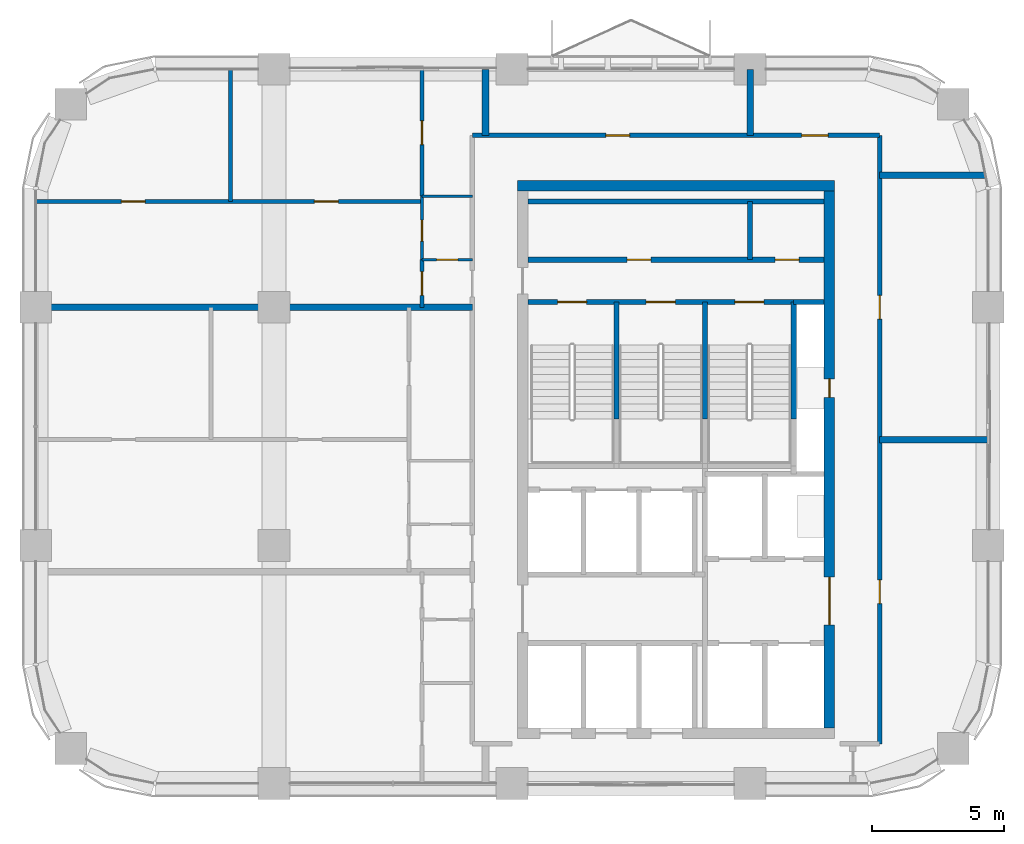
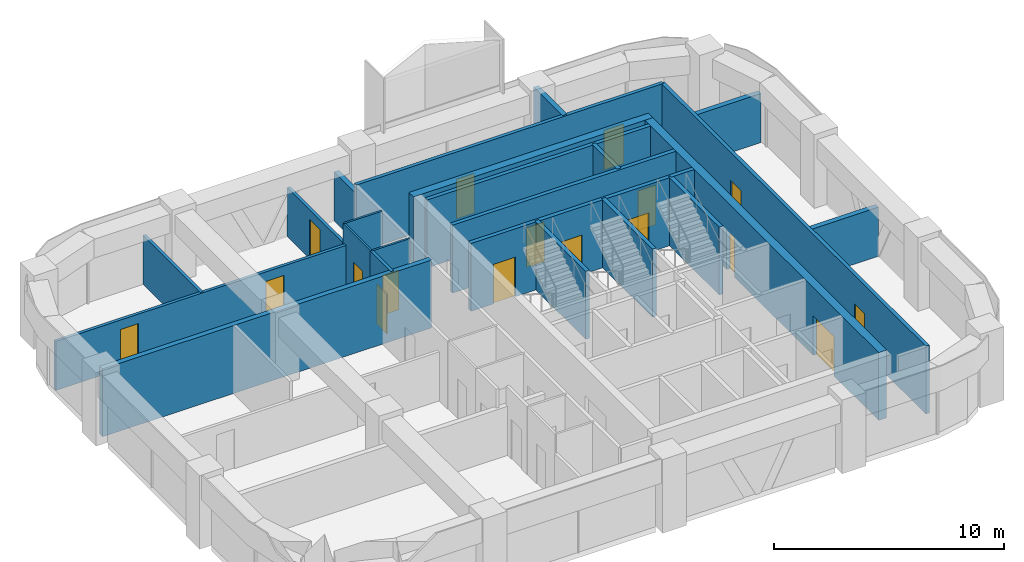
# One storey, part 8 of 10: 24 walls, 17 doors, 17 openings.
"""IFC4 building model written with IfcOpenShell, lengths in metres."""

from ifc_helpers import new_model, si_unit, direction, frame, frame_2d, origin, place, context, subcontext, project, spatial, rectangle, extrude, material, layer, layer_set, type_object, element, fill, save


model = new_model("IFC4")

# Units and contexts
model_context = context("Model", 3, precision=1e-05, world=origin(), true_north=direction((0.0, 1.0)))
body_context = subcontext(model_context, "Body", "Model", "MODEL_VIEW")
ifc_project = project(units=[si_unit("LENGTHUNIT", "METRE"), si_unit("AREAUNIT", "SQUARE_METRE"), si_unit("VOLUMEUNIT", "CUBIC_METRE"), si_unit("PLANEANGLEUNIT", "RADIAN"), si_unit("MASSUNIT", "GRAM", prefix="KILO")], contexts=[model_context])

# Site, building, storey
site_placement = place(None, origin())
site = spatial("IfcSite", under=ifc_project, at=site_placement, CompositionType="ELEMENT")
building_placement = place(site_placement, origin())
building = spatial("IfcBuilding", under=site, at=building_placement, Name="Tessera Arch", CompositionType="ELEMENT")
storey_placement = place(building_placement, frame((0.0, 0.0, 242.300048828125)))
storey = spatial("IfcBuildingStorey", under=building, at=storey_placement, Name="L58", CompositionType="ELEMENT", Elevation=242.300048828125)

# Wall
ifc_material_1 = material(Name="Gypsum board on steel stud", Category="steel")
ifc_layer_1 = layer(ifc_material_1, 0.125)
ifc_layer_set_1 = layer_set([ifc_layer_1], Name="Core partition 125 EI 60")
wall_type_1 = type_object("IfcWallType", Name="Core partition 125 EI 60", PredefinedType="PARTITIONING", material=ifc_layer_set_1)
wall_1_placement = place(storey_placement, frame((45.0, 46.800048828125, 0.0), z_axis=(0.0, 0.0, 1.0), x_axis=(0.0, 1.0, 0.0)))
element("IfcWall", 1, at=wall_1_placement, inside=storey, type_object=wall_type_1, Name="L58 C1 partition wall 12", PredefinedType="PARTITIONING", context=body_context, shape_type="SweptSolid", body=[
    extrude(rectangle(XDim=2.199951171875, YDim=0.199951171875, at=frame_2d((1.10009765625, 0.0))), origin(), (0.0, 0.0, 1.0), 3.599853515625),
])

# Wall, openings, doors
wall_2_placement = place(storey_placement, frame((36.60009765625, 46.800048828125, 0.0), z_axis=(0.0, 0.0, 1.0), x_axis=(1.0, 0.0, 0.0)))
wall_2 = element("IfcWall", 2, at=wall_2_placement, inside=storey, type_object=wall_type_1, Name="L58 C1 partition wall 31", PredefinedType="PARTITIONING", context=body_context, shape_type="SweptSolid", body=[
    extrude(rectangle(XDim=11.199951171875, YDim=0.199951171875, at=frame_2d((5.60009765625, 0.0))), origin(), (0.0, 0.0, 1.0), 3.599853515625),
])
opening_1_placement = place(wall_2_placement, frame((3.75, 0.0, 0.0)))
opening_1 = element("IfcOpeningElement", 3, at=opening_1_placement, cuts=wall_2, Name="Opening L58-C18", PredefinedType="OPENING", context=body_context, shape_type="SweptSolid", body=[
    extrude(rectangle(XDim=0.89990234375, YDim=2.10009765625, at=frame_2d((0.449951171875, 1.050048828125))), frame((0.0, 0.10986328125, 0.0), z_axis=(0.0, -1.0, 0.0), x_axis=(1.0, 0.0, 0.0)), (0.0, 0.0, 1.0), 0.219970703125),
])
opening_2_placement = place(wall_2_placement, frame((9.35009765625, 0.0, 0.0)))
opening_2 = element("IfcOpeningElement", 4, at=opening_2_placement, cuts=wall_2, Name="Opening L58-C19", PredefinedType="OPENING", context=body_context, shape_type="SweptSolid", body=[
    extrude(rectangle(XDim=0.89990234375, YDim=2.10009765625, at=frame_2d((0.449951171875, 1.050048828125))), frame((0.0, 0.10986328125, 0.0), z_axis=(0.0, -1.0, 0.0), x_axis=(1.0, 0.0, 0.0)), (0.0, 0.0, 1.0), 0.219970703125),
])
ifc_material_2 = material(Name="Steel door leaf", Category="steel")
door_type_1 = type_object("IfcDoorType", Name="Store door FD30S 900 x 2100", OperationType="SINGLE_SWING_LEFT", PredefinedType="DOOR", material=ifc_material_2)
door_1_placement = place(opening_1_placement, origin())
door_1 = element("IfcDoor", 5, at=door_1_placement, inside=storey, type_object=door_type_1, Name="L58 C1 door 18 C18 type D09", OperationType="SINGLE_SWING_LEFT", OverallHeight=2.10009765625, OverallWidth=0.89990234375, PredefinedType="DOOR", context=body_context, shape_type="SweptSolid", body=[
    extrude(rectangle(XDim=0.89990234375, YDim=2.10009765625, at=frame_2d((0.449951171875, 1.050048828125))), frame((0.0, 0.02490234375, 0.0), z_axis=(0.0, -1.0, 0.0), x_axis=(1.0, 0.0, 0.0)), (0.0, 0.0, 1.0), 0.050048828125),
])
fill(opening_1, door_1)
door_2_placement = place(opening_2_placement, origin())
door_2 = element("IfcDoor", 6, at=door_2_placement, inside=storey, type_object=door_type_1, Name="L58 C1 door 19 C19 type D09", OperationType="SINGLE_SWING_RIGHT", OverallHeight=2.10009765625, OverallWidth=0.89990234375, PredefinedType="DOOR", context=body_context, shape_type="SweptSolid", body=[
    extrude(rectangle(XDim=0.89990234375, YDim=2.10009765625, at=frame_2d((0.449951171875, 1.050048828125))), frame((0.0, 0.02490234375, 0.0), z_axis=(0.0, -1.0, 0.0), x_axis=(1.0, 0.0, 0.0)), (0.0, 0.0, 1.0), 0.050048828125),
])
fill(opening_2, door_2)

# Walls
wall_3_placement = place(storey_placement, frame((36.60009765625, 49.0, 0.0), z_axis=(0.0, 0.0, 1.0), x_axis=(1.0, 0.0, 0.0)))
element("IfcWall", 7, at=wall_3_placement, inside=storey, type_object=wall_type_1, Name="L58 C1 partition wall 32", PredefinedType="PARTITIONING", context=body_context, shape_type="SweptSolid", body=[
    extrude(rectangle(XDim=11.199951171875, YDim=0.199951171875, at=frame_2d((5.60009765625, 0.0))), origin(), (0.0, 0.0, 1.0), 3.599853515625),
])
ifc_material_3 = material(Name="Concrete C50/60", Category="concrete")
ifc_layer_2 = layer(ifc_material_3, 0.39990234375)
ifc_layer_set_2 = layer_set([ifc_layer_2], Name="Core shell wall 400 C50-60")
wall_type_2 = type_object("IfcWallType", Name="Core shell wall 400 C50-60", PredefinedType="SHEAR", material=ifc_layer_set_2)
wall_4_placement = place(storey_placement, frame((36.199951171875, 49.60009765625, 0.0), z_axis=(0.0, 0.0, 1.0), x_axis=(1.0, 0.0, 0.0)))
element("IfcWall", 8, at=wall_4_placement, inside=storey, type_object=wall_type_2, Name="L58 C1 core wall N", PredefinedType="SHEAR", context=body_context, shape_type="SweptSolid", body=[
    extrude(rectangle(XDim=12.0, YDim=0.39990234375, at=frame_2d((6.0, 0.0))), origin(), (0.0, 0.0, 1.0), 3.599853515625),
])

# Wall, openings, doors
wall_5_placement = place(storey_placement, frame((48.0, 29.10009765625, 0.0), z_axis=(0.0, 0.0, 1.0), x_axis=(0.0, 1.0, 0.0)))
wall_5 = element("IfcWall", 9, at=wall_5_placement, inside=storey, type_object=wall_type_2, Name="L58 C1 core wall E", PredefinedType="SHEAR", context=body_context, shape_type="SweptSolid", body=[
    extrude(rectangle(XDim=20.2998046875, YDim=0.39990234375, at=frame_2d((10.14990234375, 0.0))), origin(), (0.0, 0.0, 1.0), 3.599853515625),
])
opening_3_placement = place(wall_5_placement, frame((12.5, 0.0, 0.0)))
opening_3 = element("IfcOpeningElement", 10, at=opening_3_placement, cuts=wall_5, Name="Opening L58-C14", PredefinedType="OPENING", context=body_context, shape_type="SweptSolid", body=[
    extrude(rectangle(XDim=0.699951171875, YDim=2.10009765625, at=frame_2d((0.35009765625, 1.050048828125))), frame((0.0, 0.2099609375, 0.0), z_axis=(0.0, -1.0, 0.0), x_axis=(1.0, 0.0, 0.0)), (0.0, 0.0, 1.0), 0.419921875),
])
opening_4_placement = place(wall_5_placement, frame((3.89990234375, 0.0, 0.0)))
opening_4 = element("IfcOpeningElement", 11, at=opening_4_placement, cuts=wall_5, Name="Opening L58-C15", PredefinedType="OPENING", context=body_context, shape_type="SweptSolid", body=[
    extrude(rectangle(XDim=1.800048828125, YDim=2.10009765625, at=frame_2d((0.89990234375, 1.050048828125))), frame((0.0, 0.2099609375, 0.0), z_axis=(0.0, -1.0, 0.0), x_axis=(1.0, 0.0, 0.0)), (0.0, 0.0, 1.0), 0.419921875),
])
ifc_material_4 = material(Name="Glazed steel door leaf", Category="steel")
door_type_2 = type_object("IfcDoorType", Name="Lobby double door FD60 1800 x 2100", OperationType="DOUBLE_DOOR_SINGLE_SWING", PredefinedType="DOOR", material=ifc_material_4)
door_3_placement = place(opening_4_placement, origin())
door_3 = element("IfcDoor", 12, at=door_3_placement, inside=storey, type_object=door_type_2, Name="L58 C1 door 15 C15 type D19", OperationType="DOUBLE_DOOR_SINGLE_SWING", OverallHeight=2.10009765625, OverallWidth=1.800048828125, PredefinedType="DOOR", context=body_context, shape_type="SweptSolid", body=[
    extrude(rectangle(XDim=1.800048828125, YDim=2.10009765625, at=frame_2d((0.89990234375, 1.050048828125))), frame((0.0, 0.02490234375, 0.0), z_axis=(0.0, -1.0, 0.0), x_axis=(1.0, 0.0, 0.0)), (0.0, 0.0, 1.0), 0.050048828125),
])
fill(opening_4, door_3)
ifc_material_5 = material(Name="Steel door leaf", Category="steel")
door_type_3 = type_object("IfcDoorType", Name="Service shaft door FD60 700 x 2100", OperationType="SINGLE_SWING_LEFT", PredefinedType="DOOR", material=ifc_material_5)
door_4_placement = place(opening_3_placement, origin())
door_4 = element("IfcDoor", 13, at=door_4_placement, inside=storey, type_object=door_type_3, Name="L58 C1 door 14 C14 type D07", OperationType="SINGLE_SWING_RIGHT", OverallHeight=2.10009765625, OverallWidth=0.699951171875, PredefinedType="DOOR", context=body_context, shape_type="SweptSolid", body=[
    extrude(rectangle(XDim=0.699951171875, YDim=2.10009765625, at=frame_2d((0.35009765625, 1.050048828125))), frame((0.0, 0.02490234375, 0.0), z_axis=(0.0, -1.0, 0.0), x_axis=(1.0, 0.0, 0.0)), (0.0, 0.0, 1.0), 0.050048828125),
])
fill(opening_3, door_4)

ifc_material_6 = material(Name="Gypsum board on deep steel stud with mineral wool", Category="steel")
ifc_layer_3 = layer(ifc_material_6, 0.175048828125)
ifc_layer_set_3 = layer_set([ifc_layer_3], Name="Corridor wall 175 EI 60")
wall_type_3 = type_object("IfcWallType", Name="Corridor wall 175 EI 60", PredefinedType="PARTITIONING", material=ifc_layer_set_3)
wall_6_placement = place(storey_placement, frame((34.5, 51.5, 0.0), z_axis=(0.0, 0.0, 1.0), x_axis=(1.0, 0.0, 0.0)))
wall_6 = element("IfcWall", 14, at=wall_6_placement, inside=storey, type_object=wall_type_3, Name="L58 partition 3", PredefinedType="PARTITIONING", context=body_context, shape_type="SweptSolid", body=[
    extrude(rectangle(XDim=15.39990234375, YDim=0.175048828125, at=frame_2d((7.699951171875, 0.0))), origin(), (0.0, 0.0, 1.0), 3.599853515625),
])
opening_5_placement = place(wall_6_placement, frame((12.449951171875, 0.0, 0.0)))
opening_5 = element("IfcOpeningElement", 15, at=opening_5_placement, cuts=wall_6, Name="Opening L58-D022", PredefinedType="OPENING", context=body_context, shape_type="SweptSolid", body=[
    extrude(rectangle(XDim=1.0, YDim=2.10009765625, at=frame_2d((0.5, 1.050048828125))), frame((0.0, 0.097412109375, 0.0), z_axis=(0.0, -1.0, 0.0), x_axis=(1.0, 0.0, 0.0)), (0.0, 0.0, 1.0), 0.195068359375),
])
opening_6_placement = place(wall_6_placement, frame((5.050048828125, 0.0, 0.0)))
opening_6 = element("IfcOpeningElement", 16, at=opening_6_placement, cuts=wall_6, Name="Opening L58-D023", PredefinedType="OPENING", context=body_context, shape_type="SweptSolid", body=[
    extrude(rectangle(XDim=0.89990234375, YDim=2.10009765625, at=frame_2d((0.449951171875, 1.050048828125))), frame((0.0, 0.097412109375, 0.0), z_axis=(0.0, -1.0, 0.0), x_axis=(1.0, 0.0, 0.0)), (0.0, 0.0, 1.0), 0.195068359375),
])
ifc_material_7 = material(Name="Fire-rated door leaf")
door_type_4 = type_object("IfcDoorType", Name="Entrance door FD30S 1000 x 2100", OperationType="SINGLE_SWING_LEFT", PredefinedType="DOOR", material=ifc_material_7)
door_5_placement = place(opening_5_placement, origin())
door_5 = element("IfcDoor", 17, at=door_5_placement, inside=storey, type_object=door_type_4, Name="L58 door D022 type D03", OperationType="SINGLE_SWING_LEFT", OverallHeight=2.10009765625, OverallWidth=1.0, PredefinedType="DOOR", context=body_context, shape_type="SweptSolid", body=[
    extrude(rectangle(XDim=1.0, YDim=2.10009765625, at=frame_2d((0.5, 1.050048828125))), frame((0.0, 0.02490234375, 0.0), z_axis=(0.0, -1.0, 0.0), x_axis=(1.0, 0.0, 0.0)), (0.0, 0.0, 1.0), 0.050048828125),
])
fill(opening_5, door_5)
ifc_material_8 = material(Name="Timber door leaf", Category="wood")
door_type_5 = type_object("IfcDoorType", Name="Room door 900 x 2100", OperationType="SINGLE_SWING_LEFT", PredefinedType="DOOR", material=ifc_material_8)
door_6_placement = place(opening_6_placement, origin())
door_6 = element("IfcDoor", 18, at=door_6_placement, inside=storey, type_object=door_type_5, Name="L58 door D023 type D01", OperationType="SINGLE_SWING_RIGHT", OverallHeight=2.10009765625, OverallWidth=0.89990234375, PredefinedType="DOOR", context=body_context, shape_type="SweptSolid", body=[
    extrude(rectangle(XDim=0.89990234375, YDim=2.10009765625, at=frame_2d((0.449951171875, 1.050048828125))), frame((0.0, 0.02490234375, 0.0), z_axis=(0.0, -1.0, 0.0), x_axis=(1.0, 0.0, 0.0)), (0.0, 0.0, 1.0), 0.050048828125),
])
fill(opening_6, door_6)

wall_7_placement = place(storey_placement, frame((49.89990234375, 28.5, 0.0), z_axis=(0.0, 0.0, 1.0), x_axis=(0.0, 1.0, 0.0)))
wall_7 = element("IfcWall", 19, at=wall_7_placement, inside=storey, type_object=wall_type_3, Name="L58 partition 5", PredefinedType="PARTITIONING", context=body_context, shape_type="SweptSolid", body=[
    extrude(rectangle(XDim=23.0, YDim=0.175048828125, at=frame_2d((11.5, 0.0))), origin(), (0.0, 0.0, 1.0), 3.599853515625),
])
opening_7_placement = place(wall_7_placement, frame((5.300048828125, 0.0, 0.0)))
opening_7 = element("IfcOpeningElement", 20, at=opening_7_placement, cuts=wall_7, Name="Opening L58-D006", PredefinedType="OPENING", context=body_context, shape_type="SweptSolid", body=[
    extrude(rectangle(XDim=0.89990234375, YDim=2.10009765625, at=frame_2d((0.449951171875, 1.050048828125))), frame((0.0, 0.097412109375, 0.0), z_axis=(0.0, -1.0, 0.0), x_axis=(1.0, 0.0, 0.0)), (0.0, 0.0, 1.0), 0.195068359375),
])
opening_8_placement = place(wall_7_placement, frame((16.050048828125, 0.0, 0.0)))
opening_8 = element("IfcOpeningElement", 21, at=opening_8_placement, cuts=wall_7, Name="Opening L58-D014", PredefinedType="OPENING", context=body_context, shape_type="SweptSolid", body=[
    extrude(rectangle(XDim=0.89990234375, YDim=2.10009765625, at=frame_2d((0.449951171875, 1.050048828125))), frame((0.0, 0.097412109375, 0.0), z_axis=(0.0, -1.0, 0.0), x_axis=(1.0, 0.0, 0.0)), (0.0, 0.0, 1.0), 0.195068359375),
])
door_7_placement = place(opening_7_placement, origin())
door_7 = element("IfcDoor", 22, at=door_7_placement, inside=storey, type_object=door_type_5, Name="L58 door D006 type D01", OperationType="SINGLE_SWING_RIGHT", OverallHeight=2.10009765625, OverallWidth=0.89990234375, PredefinedType="DOOR", context=body_context, shape_type="SweptSolid", body=[
    extrude(rectangle(XDim=0.89990234375, YDim=2.10009765625, at=frame_2d((0.449951171875, 1.050048828125))), frame((0.0, 0.02490234375, 0.0), z_axis=(0.0, -1.0, 0.0), x_axis=(1.0, 0.0, 0.0)), (0.0, 0.0, 1.0), 0.050048828125),
])
fill(opening_7, door_7)
door_8_placement = place(opening_8_placement, origin())
door_8 = element("IfcDoor", 23, at=door_8_placement, inside=storey, type_object=door_type_5, Name="L58 door D014 type D01", OperationType="SINGLE_SWING_RIGHT", OverallHeight=2.10009765625, OverallWidth=0.89990234375, PredefinedType="DOOR", context=body_context, shape_type="SweptSolid", body=[
    extrude(rectangle(XDim=0.89990234375, YDim=2.10009765625, at=frame_2d((0.449951171875, 1.050048828125))), frame((0.0, 0.02490234375, 0.0), z_axis=(0.0, -1.0, 0.0), x_axis=(1.0, 0.0, 0.0)), (0.0, 0.0, 1.0), 0.050048828125),
])
fill(opening_8, door_8)

ifc_material_9 = material(Name="Gypsum board on steel stud", Category="steel")
ifc_layer_4 = layer(ifc_material_9, 0.14990234375)
ifc_layer_set_4 = layer_set([ifc_layer_4], Name="Partition 150")
wall_type_4 = type_object("IfcWallType", Name="Partition 150", PredefinedType="PARTITIONING", material=ifc_layer_set_4)
wall_8_placement = place(storey_placement, frame((18.0, 49.0, 0.0), z_axis=(0.0, 0.0, 1.0), x_axis=(1.0, 0.0, 0.0)))
wall_8 = element("IfcWall", 24, at=wall_8_placement, inside=storey, type_object=wall_type_4, Name="L58 partition 7", PredefinedType="PARTITIONING", context=body_context, shape_type="SweptSolid", body=[
    extrude(rectangle(XDim=14.60009765625, YDim=0.14990234375, at=frame_2d((7.300048828125, 0.0))), origin(), (0.0, 0.0, 1.0), 2.599853515625),
])
opening_9_placement = place(wall_8_placement, frame((10.53271484375, 0.0, 0.0)))
opening_9 = element("IfcOpeningElement", 25, at=opening_9_placement, cuts=wall_8, Name="Opening L58-D020", PredefinedType="OPENING", context=body_context, shape_type="SweptSolid", body=[
    extrude(rectangle(XDim=0.89990234375, YDim=2.10009765625, at=frame_2d((0.449951171875, 1.050048828125))), frame((0.0, 0.0849609375, 0.0), z_axis=(0.0, -1.0, 0.0), x_axis=(1.0, 0.0, 0.0)), (0.0, 0.0, 1.0), 0.169921875),
])
opening_10_placement = place(wall_8_placement, frame((3.23291015625, 0.0, 0.0)))
opening_10 = element("IfcOpeningElement", 26, at=opening_10_placement, cuts=wall_8, Name="Opening L58-D021", PredefinedType="OPENING", context=body_context, shape_type="SweptSolid", body=[
    extrude(rectangle(XDim=0.89990234375, YDim=2.10009765625, at=frame_2d((0.449951171875, 1.050048828125))), frame((0.0, 0.0849609375, 0.0), z_axis=(0.0, -1.0, 0.0), x_axis=(1.0, 0.0, 0.0)), (0.0, 0.0, 1.0), 0.169921875),
])
door_9_placement = place(opening_9_placement, origin())
door_9 = element("IfcDoor", 27, at=door_9_placement, inside=storey, type_object=door_type_5, Name="L58 door D020 type D01", OperationType="SINGLE_SWING_RIGHT", OverallHeight=2.10009765625, OverallWidth=0.89990234375, PredefinedType="DOOR", context=body_context, shape_type="SweptSolid", body=[
    extrude(rectangle(XDim=0.89990234375, YDim=2.10009765625, at=frame_2d((0.449951171875, 1.050048828125))), frame((0.0, 0.02490234375, 0.0), z_axis=(0.0, -1.0, 0.0), x_axis=(1.0, 0.0, 0.0)), (0.0, 0.0, 1.0), 0.050048828125),
])
fill(opening_9, door_9)
door_10_placement = place(opening_10_placement, origin())
door_10 = element("IfcDoor", 28, at=door_10_placement, inside=storey, type_object=door_type_5, Name="L58 door D021 type D01", OperationType="SINGLE_SWING_RIGHT", OverallHeight=2.10009765625, OverallWidth=0.89990234375, PredefinedType="DOOR", context=body_context, shape_type="SweptSolid", body=[
    extrude(rectangle(XDim=0.89990234375, YDim=2.10009765625, at=frame_2d((0.449951171875, 1.050048828125))), frame((0.0, 0.02490234375, 0.0), z_axis=(0.0, -1.0, 0.0), x_axis=(1.0, 0.0, 0.0)), (0.0, 0.0, 1.0), 0.050048828125),
])
fill(opening_10, door_10)

# Wall
wall_9_placement = place(storey_placement, frame((25.365966796875, 49.0, 0.0), z_axis=(0.0, 0.0, 1.0), x_axis=(0.0, 1.0, 0.0)))
element("IfcWall", 29, at=wall_9_placement, inside=storey, type_object=wall_type_4, Name="L58 partition 9", PredefinedType="PARTITIONING", context=body_context, shape_type="SweptSolid", body=[
    extrude(rectangle(XDim=5.0, YDim=0.14990234375, at=frame_2d((2.5, 0.0))), origin(), (0.0, 0.0, 1.0), 2.599853515625),
])

# Wall, opening, door
wall_10_placement = place(storey_placement, frame((32.60009765625, 45.0, 0.0), z_axis=(0.0, 0.0, 1.0), x_axis=(0.0, 1.0, 0.0)))
wall_10 = element("IfcWall", 30, at=wall_10_placement, inside=storey, type_object=wall_type_4, Name="L58 partition 14", PredefinedType="PARTITIONING", context=body_context, shape_type="SweptSolid", body=[
    extrude(rectangle(XDim=1.800048828125, YDim=0.14990234375, at=frame_2d((0.89990234375, 0.0))), origin(), (0.0, 0.0, 1.0), 3.599853515625),
])
opening_11_placement = place(wall_10_placement, frame((0.449951171875, 0.0, 0.0)))
opening_11 = element("IfcOpeningElement", 31, at=opening_11_placement, cuts=wall_10, Name="Opening L58-D016", PredefinedType="OPENING", context=body_context, shape_type="SweptSolid", body=[
    extrude(rectangle(XDim=0.89990234375, YDim=2.10009765625, at=frame_2d((0.449951171875, 1.050048828125))), frame((0.0, 0.0849609375, 0.0), z_axis=(0.0, -1.0, 0.0), x_axis=(1.0, 0.0, 0.0)), (0.0, 0.0, 1.0), 0.169921875),
])
door_11_placement = place(opening_11_placement, origin())
door_11 = element("IfcDoor", 32, at=door_11_placement, inside=storey, type_object=door_type_5, Name="L58 door D016 type D01", OperationType="SINGLE_SWING_LEFT", OverallHeight=2.10009765625, OverallWidth=0.89990234375, PredefinedType="DOOR", context=body_context, shape_type="SweptSolid", body=[
    extrude(rectangle(XDim=0.89990234375, YDim=2.10009765625, at=frame_2d((0.449951171875, 1.050048828125))), frame((0.0, 0.02490234375, 0.0), z_axis=(0.0, -1.0, 0.0), x_axis=(1.0, 0.0, 0.0)), (0.0, 0.0, 1.0), 0.050048828125),
])
fill(opening_11, door_11)

wall_11_placement = place(storey_placement, frame((32.60009765625, 49.199951171875, 0.0), z_axis=(0.0, 0.0, 1.0), x_axis=(0.0, 1.0, 0.0)))
wall_11 = element("IfcWall", 33, at=wall_11_placement, inside=storey, type_object=wall_type_4, Name="L58 partition 15", PredefinedType="PARTITIONING", context=body_context, shape_type="SweptSolid", body=[
    extrude(rectangle(XDim=4.800048828125, YDim=0.14990234375, at=frame_2d((2.39990234375, 0.0))), origin(), (0.0, 0.0, 1.0), 2.599853515625),
])
opening_12_placement = place(wall_11_placement, frame((1.949951171875, 0.0, 0.0)))
opening_12 = element("IfcOpeningElement", 34, at=opening_12_placement, cuts=wall_11, Name="Opening L58-D019", PredefinedType="OPENING", context=body_context, shape_type="SweptSolid", body=[
    extrude(rectangle(XDim=0.89990234375, YDim=2.10009765625, at=frame_2d((0.449951171875, 1.050048828125))), frame((0.0, 0.0849609375, 0.0), z_axis=(0.0, -1.0, 0.0), x_axis=(1.0, 0.0, 0.0)), (0.0, 0.0, 1.0), 0.169921875),
])
door_12_placement = place(opening_12_placement, origin())
door_12 = element("IfcDoor", 35, at=door_12_placement, inside=storey, type_object=door_type_5, Name="L58 door D019 type D01", OperationType="SINGLE_SWING_LEFT", OverallHeight=2.10009765625, OverallWidth=0.89990234375, PredefinedType="DOOR", context=body_context, shape_type="SweptSolid", body=[
    extrude(rectangle(XDim=0.89990234375, YDim=2.10009765625, at=frame_2d((0.449951171875, 1.050048828125))), frame((0.0, 0.02490234375, 0.0), z_axis=(0.0, -1.0, 0.0), x_axis=(1.0, 0.0, 0.0)), (0.0, 0.0, 1.0), 0.050048828125),
])
fill(opening_12, door_12)

# Walls
ifc_material_10 = material(Name="Double gypsum board on twin steel stud with acoustic mineral wool", Category="steel")
ifc_layer_5 = layer(ifc_material_10, 0.25)
ifc_layer_set_5 = layer_set([ifc_layer_5], Name="Party wall 250 EI 60")
wall_type_5 = type_object("IfcWallType", Name="Party wall 250 EI 60", PredefinedType="PARTITIONING", material=ifc_layer_set_5)
wall_12_placement = place(storey_placement, frame((49.89990234375, 40.0, 0.0), z_axis=(0.0, 0.0, 1.0), x_axis=(1.0, 0.0, 0.0)))
element("IfcWall", 36, at=wall_12_placement, inside=storey, type_object=wall_type_5, Name="L58 partition 17", PredefinedType="PARTITIONING", context=body_context, shape_type="SweptSolid", body=[
    extrude(rectangle(XDim=4.10009765625, YDim=0.25, at=frame_2d((2.050048828125, 0.0))), origin(), (0.0, 0.0, 1.0), 2.599853515625),
])
wall_13_placement = place(storey_placement, frame((18.0, 45.0, 0.0), z_axis=(0.0, 0.0, 1.0), x_axis=(1.0, 0.0, 0.0)))
element("IfcWall", 37, at=wall_13_placement, inside=storey, type_object=wall_type_5, Name="L58 partition 18", PredefinedType="PARTITIONING", context=body_context, shape_type="SweptSolid", body=[
    extrude(rectangle(XDim=16.5, YDim=0.25, at=frame_2d((8.25, 0.0))), origin(), (0.0, 0.0, 1.0), 3.599853515625),
])
wall_14_placement = place(storey_placement, frame((49.89990234375, 50.0, 0.0), z_axis=(0.0, 0.0, 1.0), x_axis=(1.0, 0.0, 0.0)))
element("IfcWall", 38, at=wall_14_placement, inside=storey, type_object=wall_type_5, Name="L58 partition 19", PredefinedType="PARTITIONING", context=body_context, shape_type="SweptSolid", body=[
    extrude(rectangle(XDim=4.00048828125, YDim=0.25, at=frame_2d((2.000244140625, 0.0))), origin(), (0.0, 0.0, 1.0), 2.599853515625),
])
wall_15_placement = place(storey_placement, frame((35.0, 51.5, 0.0), z_axis=(0.0, 0.0, 1.0), x_axis=(0.0, 1.0, 0.0)))
element("IfcWall", 39, at=wall_15_placement, inside=storey, type_object=wall_type_5, Name="L58 partition 21", PredefinedType="PARTITIONING", context=body_context, shape_type="SweptSolid", body=[
    extrude(rectangle(XDim=2.5, YDim=0.25, at=frame_2d((1.25, 0.0))), origin(), (0.0, 0.0, 1.0), 2.599853515625),
])
wall_16_placement = place(storey_placement, frame((45.0, 51.5, 0.0), z_axis=(0.0, 0.0, 1.0), x_axis=(0.0, 1.0, 0.0)))
element("IfcWall", 40, at=wall_16_placement, inside=storey, type_object=wall_type_5, Name="L58 partition 22", PredefinedType="PARTITIONING", context=body_context, shape_type="SweptSolid", body=[
    extrude(rectangle(XDim=2.5, YDim=0.25, at=frame_2d((1.25, 0.0))), origin(), (0.0, 0.0, 1.0), 3.599853515625),
])
ifc_material_11 = material(Name="Concrete C40/50", Category="concrete")
ifc_layer_6 = layer(ifc_material_11, 0.199951171875)
ifc_layer_set_6 = layer_set([ifc_layer_6], Name="Shaft wall 200 EI 120")
wall_type_6 = type_object("IfcWallType", Name="Shaft wall 200 EI 120", PredefinedType="SOLIDWALL", material=ifc_layer_set_6)
wall_17_placement = place(storey_placement, frame((46.64990234375, 45.199951171875, 0.0), z_axis=(0.0, 0.0, 1.0), x_axis=(1.0, 0.0, 0.0)))
element("IfcWall", 41, at=wall_17_placement, inside=storey, type_object=wall_type_6, Name="L58 C1 shaft wall 29", PredefinedType="SOLIDWALL", context=body_context, shape_type="SweptSolid", body=[
    extrude(rectangle(XDim=1.150146484375, YDim=0.199951171875, at=frame_2d((0.5751953125, 0.0))), origin(), (0.0, 0.0, 1.0), 3.599853515625),
])
ifc_material_12 = material(Name="Concrete C40/50", Category="concrete")
ifc_layer_7 = layer(ifc_material_12, 0.199951171875)
ifc_layer_set_7 = layer_set([ifc_layer_7], Name="Stair well wall 200 REI 180")
wall_type_7 = type_object("IfcWallType", Name="Stair well wall 200 REI 180", PredefinedType="SOLIDWALL", material=ifc_layer_set_7)
for number, where, z_axis, x_axis, name in (
    (42, (39.949951171875, 40.780029296875, 0.0), (0.0, 0.0, 1.0), (0.0, 1.0, 0.0), "L58 C1 shaft wall 4"),
    (43, (43.300048828125, 40.780029296875, 0.0), (0.0, 0.0, 1.0), (0.0, 1.0, 0.0), "L58 C1 shaft wall 11"),
    (44, (46.64990234375, 40.780029296875, 0.0), (0.0, 0.0, 1.0), (0.0, 1.0, 0.0), "L58 C1 shaft wall 17"),
):
    element("IfcWall", number, at=place(storey_placement, frame(where, z_axis=z_axis, x_axis=x_axis)), inside=storey, type_object=wall_type_7, Name=name, PredefinedType="SOLIDWALL", context=body_context, shape_type="SweptSolid", body=[
        extrude(rectangle(XDim=4.419921875, YDim=0.199951171875, at=frame_2d((2.2099609375, 0.0))), origin(), (0.0, 0.0, 1.0), 3.599853515625),
    ])

# Wall, openings, doors
wall_18_placement = place(storey_placement, frame((36.60009765625, 45.199951171875, 0.0), z_axis=(0.0, 0.0, 1.0), x_axis=(1.0, 0.0, 0.0)))
wall_18 = element("IfcWall", 45, at=wall_18_placement, inside=storey, type_object=wall_type_7, Name="L58 C1 shaft wall 30", PredefinedType="SOLIDWALL", context=body_context, shape_type="SweptSolid", body=[
    extrude(rectangle(XDim=10.0498046875, YDim=0.199951171875, at=frame_2d((5.02490234375, 0.0))), origin(), (0.0, 0.0, 1.0), 3.599853515625),
])
opening_13_placement = place(wall_18_placement, frame((1.125, 0.0, 0.0)))
opening_13 = element("IfcOpeningElement", 46, at=opening_13_placement, cuts=wall_18, Name="Opening L58-C11", PredefinedType="OPENING", context=body_context, shape_type="SweptSolid", body=[
    extrude(rectangle(XDim=1.10009765625, YDim=2.10009765625, at=frame_2d((0.550048828125, 1.050048828125))), frame((0.0, 0.10986328125, 0.0), z_axis=(0.0, -1.0, 0.0), x_axis=(1.0, 0.0, 0.0)), (0.0, 0.0, 1.0), 0.219970703125),
])
opening_14_placement = place(wall_18_placement, frame((4.47509765625, 0.0, 0.0)))
opening_14 = element("IfcOpeningElement", 47, at=opening_14_placement, cuts=wall_18, Name="Opening L58-C12", PredefinedType="OPENING", context=body_context, shape_type="SweptSolid", body=[
    extrude(rectangle(XDim=1.10009765625, YDim=2.10009765625, at=frame_2d((0.550048828125, 1.050048828125))), frame((0.0, 0.10986328125, 0.0), z_axis=(0.0, -1.0, 0.0), x_axis=(1.0, 0.0, 0.0)), (0.0, 0.0, 1.0), 0.219970703125),
])
opening_15_placement = place(wall_18_placement, frame((7.824951171875, 0.0, 0.0)))
opening_15 = element("IfcOpeningElement", 48, at=opening_15_placement, cuts=wall_18, Name="Opening L58-C13", PredefinedType="OPENING", context=body_context, shape_type="SweptSolid", body=[
    extrude(rectangle(XDim=1.10009765625, YDim=2.10009765625, at=frame_2d((0.550048828125, 1.050048828125))), frame((0.0, 0.10986328125, 0.0), z_axis=(0.0, -1.0, 0.0), x_axis=(1.0, 0.0, 0.0)), (0.0, 0.0, 1.0), 0.219970703125),
])
ifc_material_13 = material(Name="Steel door leaf", Category="steel")
door_type_6 = type_object("IfcDoorType", Name="Stair door FD60 1100 x 2100", OperationType="SINGLE_SWING_LEFT", PredefinedType="DOOR", material=ifc_material_13)
door_13_placement = place(opening_13_placement, origin())
door_13 = element("IfcDoor", 49, at=door_13_placement, inside=storey, type_object=door_type_6, Name="L58 C1 door 11 C11 type D05", OperationType="SINGLE_SWING_LEFT", OverallHeight=2.10009765625, OverallWidth=1.10009765625, PredefinedType="DOOR", context=body_context, shape_type="SweptSolid", body=[
    extrude(rectangle(XDim=1.10009765625, YDim=2.10009765625, at=frame_2d((0.550048828125, 1.050048828125))), frame((0.0, 0.02490234375, 0.0), z_axis=(0.0, -1.0, 0.0), x_axis=(1.0, 0.0, 0.0)), (0.0, 0.0, 1.0), 0.050048828125),
])
fill(opening_13, door_13)
door_14_placement = place(opening_14_placement, origin())
door_14 = element("IfcDoor", 50, at=door_14_placement, inside=storey, type_object=door_type_6, Name="L58 C1 door 12 C12 type D05", OperationType="SINGLE_SWING_RIGHT", OverallHeight=2.10009765625, OverallWidth=1.10009765625, PredefinedType="DOOR", context=body_context, shape_type="SweptSolid", body=[
    extrude(rectangle(XDim=1.10009765625, YDim=2.10009765625, at=frame_2d((0.550048828125, 1.050048828125))), frame((0.0, 0.02490234375, 0.0), z_axis=(0.0, -1.0, 0.0), x_axis=(1.0, 0.0, 0.0)), (0.0, 0.0, 1.0), 0.050048828125),
])
fill(opening_14, door_14)
door_15_placement = place(opening_15_placement, origin())
door_15 = element("IfcDoor", 51, at=door_15_placement, inside=storey, type_object=door_type_6, Name="L58 C1 door 13 C13 type D05", OperationType="SINGLE_SWING_RIGHT", OverallHeight=2.10009765625, OverallWidth=1.10009765625, PredefinedType="DOOR", context=body_context, shape_type="SweptSolid", body=[
    extrude(rectangle(XDim=1.10009765625, YDim=2.10009765625, at=frame_2d((0.550048828125, 1.050048828125))), frame((0.0, 0.02490234375, 0.0), z_axis=(0.0, -1.0, 0.0), x_axis=(1.0, 0.0, 0.0)), (0.0, 0.0, 1.0), 0.050048828125),
])
fill(opening_15, door_15)

# Wall, opening, door
ifc_material_14 = material(Name="Moisture-resistant board on pre-plumbed steel stud", Category="steel")
ifc_layer_8 = layer(ifc_material_14, 0.10009765625)
ifc_layer_set_8 = layer_set([ifc_layer_8], Name="Wet wall 100")
wall_type_8 = type_object("IfcWallType", Name="Wet wall 100", PredefinedType="PARTITIONING", material=ifc_layer_set_8)
wall_19_placement = place(storey_placement, frame((32.60009765625, 46.800048828125, 0.0), z_axis=(0.0, 0.0, 1.0), x_axis=(1.0, 0.0, 0.0)))
wall_19 = element("IfcWall", 52, at=wall_19_placement, inside=storey, type_object=wall_type_8, Name="L58 partition 28", PredefinedType="PARTITIONING", context=body_context, shape_type="SweptSolid", body=[
    extrude(rectangle(XDim=1.89990234375, YDim=0.10009765625, at=frame_2d((0.949951171875, 0.0))), origin(), (0.0, 0.0, 1.0), 3.599853515625),
])
opening_16_placement = place(wall_19_placement, frame((0.550048828125, 0.0, 0.0)))
opening_16 = element("IfcOpeningElement", 53, at=opening_16_placement, cuts=wall_19, Name="Opening L58-D017", PredefinedType="OPENING", context=body_context, shape_type="SweptSolid", body=[
    extrude(rectangle(XDim=0.800048828125, YDim=2.10009765625, at=frame_2d((0.39990234375, 1.050048828125))), frame((0.0, 0.06005859375, 0.0), z_axis=(0.0, -1.0, 0.0), x_axis=(1.0, 0.0, 0.0)), (0.0, 0.0, 1.0), 0.1201171875),
])
ifc_material_15 = material(Name="Timber door leaf", Category="wood")
door_type_7 = type_object("IfcDoorType", Name="En-suite door 800 x 2100", OperationType="SINGLE_SWING_LEFT", PredefinedType="DOOR", material=ifc_material_15)
door_16_placement = place(opening_16_placement, origin())
door_16 = element("IfcDoor", 54, at=door_16_placement, inside=storey, type_object=door_type_7, Name="L58 door D017 type D02", OperationType="SINGLE_SWING_RIGHT", OverallHeight=2.10009765625, OverallWidth=0.800048828125, PredefinedType="DOOR", context=body_context, shape_type="SweptSolid", body=[
    extrude(rectangle(XDim=0.800048828125, YDim=2.10009765625, at=frame_2d((0.39990234375, 1.050048828125))), frame((0.0, 0.02490234375, 0.0), z_axis=(0.0, -1.0, 0.0), x_axis=(1.0, 0.0, 0.0)), (0.0, 0.0, 1.0), 0.050048828125),
])
fill(opening_16, door_16)

# Wall
wall_20_placement = place(storey_placement, frame((32.60009765625, 49.199951171875, 0.0), z_axis=(0.0, 0.0, 1.0), x_axis=(1.0, 0.0, 0.0)))
element("IfcWall", 55, at=wall_20_placement, inside=storey, type_object=wall_type_8, Name="L58 partition 29", PredefinedType="PARTITIONING", context=body_context, shape_type="SweptSolid", body=[
    extrude(rectangle(XDim=1.89990234375, YDim=0.10009765625, at=frame_2d((0.949951171875, 0.0))), origin(), (0.0, 0.0, 1.0), 3.599853515625),
])

# Wall, opening, door
wall_21_placement = place(storey_placement, frame((32.60009765625, 46.800048828125, 0.0), z_axis=(0.0, 0.0, 1.0), x_axis=(0.0, 1.0, 0.0)))
wall_21 = element("IfcWall", 56, at=wall_21_placement, inside=storey, type_object=wall_type_8, Name="L58 partition 32", PredefinedType="PARTITIONING", context=body_context, shape_type="SweptSolid", body=[
    extrude(rectangle(XDim=2.39990234375, YDim=0.10009765625, at=frame_2d((1.199951171875, 0.0))), origin(), (0.0, 0.0, 1.0), 3.599853515625),
])
opening_17_placement = place(wall_21_placement, frame((0.699951171875, 0.0, 0.0)))
opening_17 = element("IfcOpeningElement", 57, at=opening_17_placement, cuts=wall_21, Name="Opening L58-D018", PredefinedType="OPENING", context=body_context, shape_type="SweptSolid", body=[
    extrude(rectangle(XDim=0.800048828125, YDim=2.10009765625, at=frame_2d((0.39990234375, 1.050048828125))), frame((0.0, 0.06005859375, 0.0), z_axis=(0.0, -1.0, 0.0), x_axis=(1.0, 0.0, 0.0)), (0.0, 0.0, 1.0), 0.1201171875),
])
door_17_placement = place(opening_17_placement, origin())
door_17 = element("IfcDoor", 58, at=door_17_placement, inside=storey, type_object=door_type_7, Name="L58 door D018 type D02", OperationType="SINGLE_SWING_RIGHT", OverallHeight=2.10009765625, OverallWidth=0.800048828125, PredefinedType="DOOR", context=body_context, shape_type="SweptSolid", body=[
    extrude(rectangle(XDim=0.800048828125, YDim=2.10009765625, at=frame_2d((0.39990234375, 1.050048828125))), frame((0.0, 0.02490234375, 0.0), z_axis=(0.0, -1.0, 0.0), x_axis=(1.0, 0.0, 0.0)), (0.0, 0.0, 1.0), 0.050048828125),
])
fill(opening_17, door_17)

save(model, "model.ifc")
